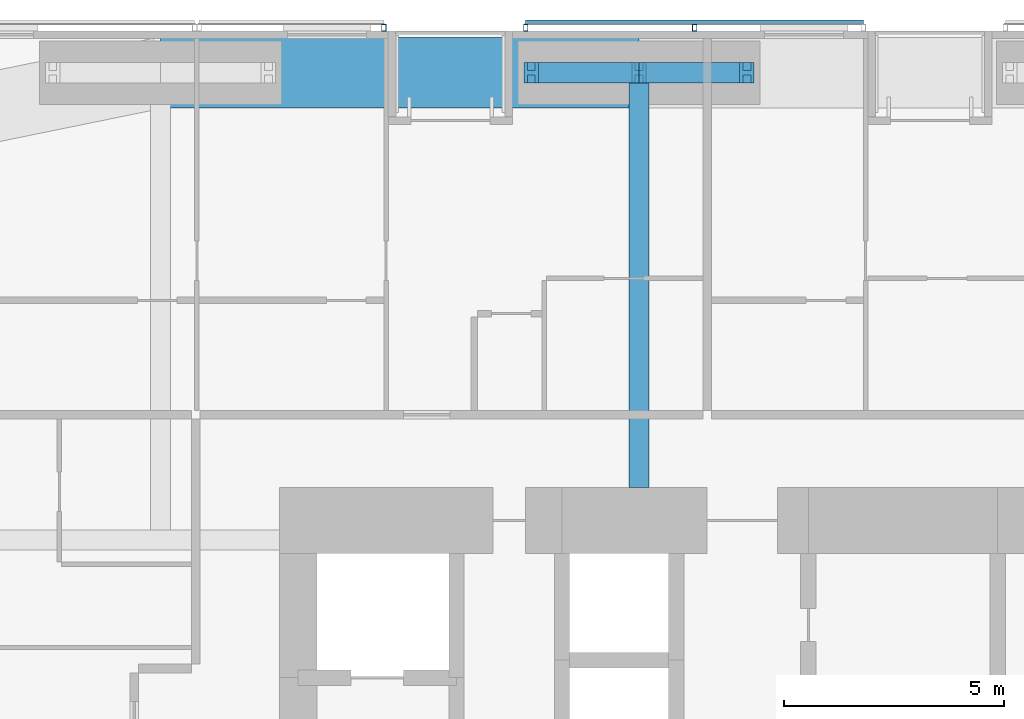
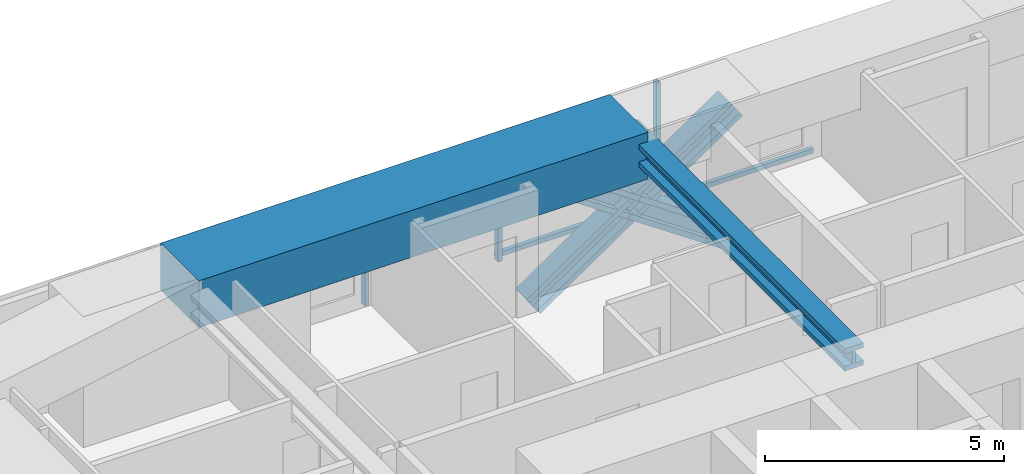
# One storey, part 13 of 24: 8 members, 2 beams, 2 elements without a shape of their own.
"""IFC4 building model written with IfcOpenShell, lengths in metres."""

from ifc_helpers import new_model, si_unit, direction, frame, origin, origin_2d, place, context, subcontext, project, spatial, rectangle, hollow_rectangle, i_section, extrude, material, material_profile, profile_set, type_object, element, aggregate, save


model = new_model("IFC4")

# Units and contexts
model_context = context("Model", 3, precision=1e-05, world=origin(), true_north=direction((0.0, 1.0)))
body_context = subcontext(model_context, "Body", "Model", "MODEL_VIEW")
ifc_project = project(units=[si_unit("LENGTHUNIT", "METRE"), si_unit("AREAUNIT", "SQUARE_METRE"), si_unit("VOLUMEUNIT", "CUBIC_METRE"), si_unit("PLANEANGLEUNIT", "RADIAN"), si_unit("MASSUNIT", "GRAM", prefix="KILO")], contexts=[model_context])

# Site, building, storey
site_placement = place(None, origin())
site = spatial("IfcSite", under=ifc_project, at=site_placement, CompositionType="ELEMENT")
building_placement = place(site_placement, origin())
building = spatial("IfcBuilding", under=site, at=building_placement, Name="Jalousie Tower", CompositionType="ELEMENT")
storey_placement = place(building_placement, frame((0.0, 0.0, 124.949951171875)))
storey = spatial("IfcBuildingStorey", under=building, at=storey_placement, Name="L34", CompositionType="ELEMENT", Elevation=124.949951171875)

# Beam
ifc_material_1 = material(Name="Steel ASTM A992 Grade 50", Category="steel")
ifc_material_profile_1 = material_profile(ifc_material_1, i_section(OverallWidth=0.45458984375, OverallDepth=0.569091796875, WebThickness=0.077880859375, FlangeThickness=0.124755859375, at=origin_2d()), Name="W14X730")
ifc_profile_set_1 = profile_set([ifc_material_profile_1], Name="Steel ASTM A992 Grade 50")
beam_type_1 = type_object("IfcBeamType", Name="LEAN COLLECTOR W14X730", PredefinedType="BEAM", material=ifc_profile_set_1)
beam_1_placement = place(storey_placement, frame((27.75, 37.050048828125, 2.825439453125), z_axis=(0.0, -1.0, 0.0), x_axis=(1.0, 0.0, 0.0)))
element("IfcBeam", 1, at=beam_1_placement, inside=storey, type_object=beam_type_1, Name="Lean collector under L35", PredefinedType="BEAM", context=body_context, shape_type="SweptSolid", body=[
    extrude(i_section(OverallWidth=0.45458984375, OverallDepth=0.569091796875, WebThickness=0.077880859375, FlangeThickness=0.124755859375, at=origin_2d()), origin(), (0.0, 0.0, 1.0), 9.425048828125),
])

# Members
ifc_material_2 = material(Name="Steel ASTM A992 Grade 50", Category="steel")
ifc_material_profile_2 = material_profile(ifc_material_2, i_section(OverallWidth=0.472412109375, OverallDepth=0.5791015625, WebThickness=0.094970703125, FlangeThickness=0.1298828125, at=origin_2d()), Name="W14X808")
ifc_profile_set_2 = profile_set([ifc_material_profile_2], Name="Steel ASTM A992 Grade 50")
member_type_1 = type_object("IfcMemberType", Name="PERIMETER BRACE W14X808", PredefinedType="BRACE", material=ifc_profile_set_2)
for number, where, z_axis, x_axis, name in (
    (2, (25.300048828125, 37.050048828125, -0.599853515625), (0.825539243753, 0.0, 0.564344714713), (0.0, 1.0, 0.0), "Perimeter brace 10 L34 part 1"),
    (3, (27.75, 37.050048828125, 1.074951171875), (0.825500916831, 0.0, 0.564400776321), (0.0, 1.0, 0.0), "Perimeter brace 10 L34 part 2"),
    (4, (30.199951171875, 37.050048828125, -0.599853515625), (-0.825539243753, 0.0, 0.564344714713), (0.0, -1.0, 0.0), "Perimeter brace 10 L34 part 3"),
    (5, (27.75, 37.050048828125, 1.074951171875), (-0.825500916831, 0.0, 0.564400776321), (0.0, -1.0, 0.0), "Perimeter brace 10 L34 part 4"),
):
    element("IfcMember", number, at=place(storey_placement, frame(where, z_axis=z_axis, x_axis=x_axis)), inside=storey, type_object=member_type_1, Name=name, PredefinedType="BRACE", context=body_context, shape_type="SweptSolid", body=[
        extrude(i_section(OverallWidth=0.472412109375, OverallDepth=0.5791015625, WebThickness=0.094970703125, FlangeThickness=0.1298828125, at=origin_2d()), origin(), (0.0, 0.0, 1.0), 2.9677734375),
    ])

# Beam
ifc_material_3 = material(Name="Concrete f'c 40 MPa", Category="concrete")
ifc_material_profile_3 = material_profile(ifc_material_3, rectangle(XDim=1.60009765625, YDim=1.199951171875, at=origin_2d()), Name="RC 1600x1200")
ifc_profile_set_3 = profile_set([ifc_material_profile_3], Name="Concrete f'c 40 MPa")
beam_type_2 = type_object("IfcBeamType", Name="RC BEAM 1600x1200", PredefinedType="BEAM", material=ifc_profile_set_3)
beam_2_placement = place(storey_placement, frame((27.75, 37.050048828125, 2.75), z_axis=(-1.0, 0.0, 0.0), x_axis=(0.0, -1.0, 0.0)))
element("IfcBeam", 6, at=beam_2_placement, inside=storey, type_object=beam_type_2, Name="Edge band beam 10-11 under L35", PredefinedType="BEAM", context=body_context, shape_type="SweptSolid", body=[
    extrude(rectangle(XDim=1.60009765625, YDim=1.199951171875, at=origin_2d()), origin(), (0.0, 0.0, 1.0), 10.875),
])

# Curtain wall, members
ifc_material_4 = material(Name="Perforated aluminium sheet", Category="aluminium")
curtain_wall_type = type_object("IfcCurtainWallType", Name="SOLAR SCREEN SS-1", PredefinedType="USERDEFINED", material=ifc_material_4)
curtain_wall_1_placement = place(storey_placement, origin())
curtain_wall_1 = element("IfcCurtainWall", 7, at=curtain_wall_1_placement, inside=storey, type_object=curtain_wall_type, Name="Solar screen L34", ObjectType="SOLAR SCREEN SS-1", PredefinedType="USERDEFINED")
ifc_material_5 = material(Name="Steel ASTM A500 Grade C", Category="steel")
ifc_material_profile_4 = material_profile(ifc_material_5, hollow_rectangle(XDim=0.1015625, YDim=0.15234375, WallThickness=0.00634765625, at=origin_2d()), Name="HSS6X4X1/4")
ifc_profile_set_4 = profile_set([ifc_material_profile_4], Name="Steel ASTM A500 Grade C")
member_type_2 = type_object("IfcMemberType", Name="SOLAR SCREEN SS-1 MULLION", PredefinedType="MULLION", material=ifc_profile_set_4)
member_1_placement = place(storey_placement, frame((29.012451171875, 38.0712890625, -0.119873046875), z_axis=(0.0, 0.0, 1.0), x_axis=(-1.0, 0.0, 0.0)))
member_1 = element("IfcMember", 8, at=member_1_placement, type_object=member_type_2, Name="SS1 post 2", PredefinedType="MULLION", context=body_context, shape_type="SweptSolid", body=[
    extrude(hollow_rectangle(XDim=0.1015625, YDim=0.15234375, WallThickness=0.00634765625, at=origin_2d()), origin(), (0.0, 0.0, 1.0), 3.22998046875),
])
member_2_placement = place(storey_placement, frame((25.175048828125, 38.0712890625, -0.119873046875), z_axis=(0.0, 0.0, 1.0), x_axis=(-1.0, 0.0, 0.0)))
member_2 = element("IfcMember", 9, at=member_2_placement, type_object=member_type_2, Name="SS1 post 3", PredefinedType="MULLION", context=body_context, shape_type="SweptSolid", body=[
    extrude(hollow_rectangle(XDim=0.1015625, YDim=0.15234375, WallThickness=0.00634765625, at=origin_2d()), origin(), (0.0, 0.0, 1.0), 3.22998046875),
])

# Curtain wall, member
curtain_wall_2_placement = place(storey_placement, origin())
curtain_wall_2 = element("IfcCurtainWall", 10, at=curtain_wall_2_placement, inside=storey, type_object=curtain_wall_type, Name="Solar screen L34", ObjectType="SOLAR SCREEN SS-1", PredefinedType="USERDEFINED")
member_3_placement = place(storey_placement, frame((21.949951171875, 38.0712890625, -0.119873046875), z_axis=(0.0, 0.0, 1.0), x_axis=(-1.0, 0.0, 0.0)))
member_3 = element("IfcMember", 11, at=member_3_placement, type_object=member_type_2, Name="SS1 post 1", PredefinedType="MULLION", context=body_context, shape_type="SweptSolid", body=[
    extrude(hollow_rectangle(XDim=0.1015625, YDim=0.15234375, WallThickness=0.00634765625, at=origin_2d()), origin(), (0.0, 0.0, 1.0), 3.22998046875),
])
aggregate(curtain_wall_2, [member_3])

# Member
ifc_material_6 = material(Name="Extruded aluminium screen rail", Category="aluminium")
ifc_material_profile_5 = material_profile(ifc_material_6, rectangle(XDim=0.1015625, YDim=0.1201171875, at=origin_2d()), Name="RAIL 102x120")
ifc_profile_set_5 = profile_set([ifc_material_profile_5], Name="Extruded aluminium screen rail")
member_type_3 = type_object("IfcMemberType", Name="SOLAR SCREEN SS-1 TRANSOM", PredefinedType="USERDEFINED", material=ifc_profile_set_5)
member_4_placement = place(storey_placement, frame((32.85009765625, 38.1982421875, -0.06005859375), z_axis=(-1.0, 0.0, 0.0), x_axis=(0.0, -1.0, 0.0)))
member_4 = element("IfcMember", 12, at=member_4_placement, type_object=member_type_3, Name="SS1 rail", ObjectType="TRANSOM", PredefinedType="USERDEFINED", context=body_context, shape_type="SweptSolid", body=[
    extrude(rectangle(XDim=0.1015625, YDim=0.1201171875, at=origin_2d()), origin(), (0.0, 0.0, 1.0), 7.675048828125),
])

aggregate(curtain_wall_1, [member_1, member_2, member_4])

save(model, "model.ifc")
